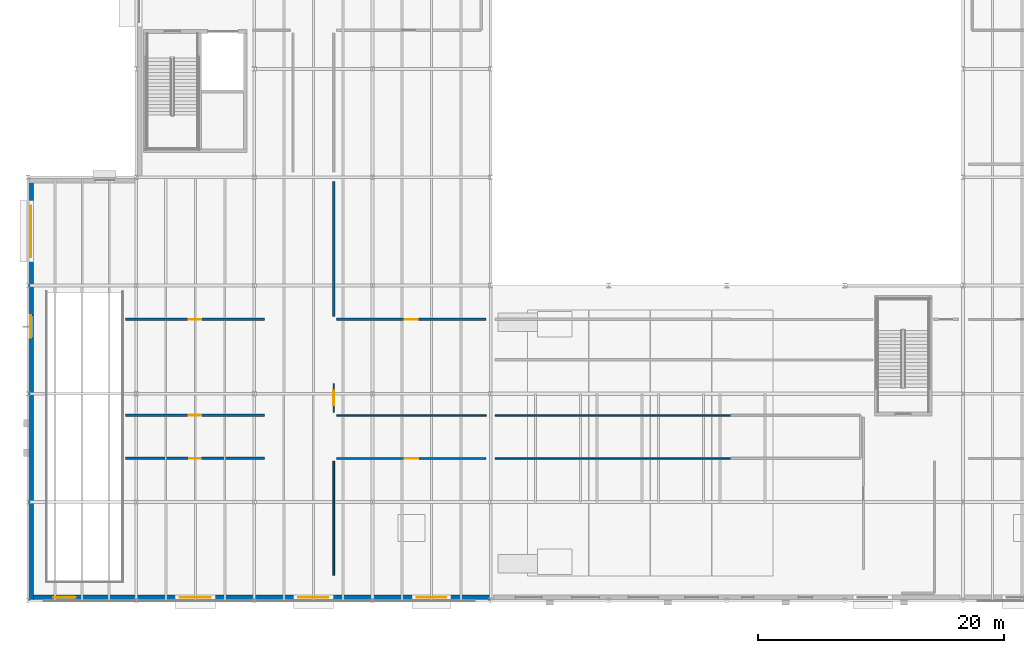
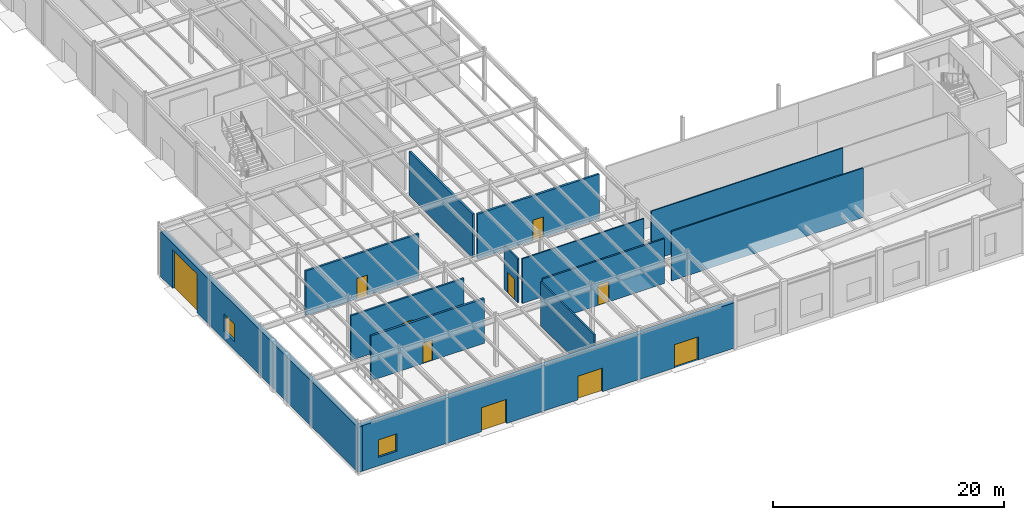
# One storey, part 43 of 70: 13 walls, 10 doors, 2 windows, 12 openings.
"""IFC4 building model written with IfcOpenShell, lengths in metres."""

from ifc_helpers import new_model, si_unit, direction, frame, frame_2d, origin, place, context, subcontext, project, spatial, rectangle, extrude, material, layer, layer_set, type_object, element, fill, save


model = new_model("IFC4")

# Units and contexts
model_context = context("Model", 3, precision=1e-05, world=origin(), true_north=direction((0.0, 1.0)))
body_context = subcontext(model_context, "Body", "Model", "MODEL_VIEW")
ifc_project = project(units=[si_unit("LENGTHUNIT", "METRE"), si_unit("AREAUNIT", "SQUARE_METRE"), si_unit("VOLUMEUNIT", "CUBIC_METRE"), si_unit("PLANEANGLEUNIT", "RADIAN"), si_unit("MASSUNIT", "GRAM", prefix="KILO")], contexts=[model_context])

# Site, building, storey
site_placement = place(None, origin())
site = spatial("IfcSite", under=ifc_project, at=site_placement, CompositionType="ELEMENT")
building_placement = place(site_placement, origin())
building = spatial("IfcBuilding", under=site, at=building_placement, Name="Sarnbrook Museum", CompositionType="ELEMENT")
storey_placement = place(building_placement, origin())
storey = spatial("IfcBuildingStorey", under=building, at=storey_placement, Name="L00", CompositionType="ELEMENT", Elevation=0.0)

# Walls
ifc_material_1 = material(Name="Fire-Rated Acoustic Gypsum Plasterboard")
ifc_layer_1 = layer(ifc_material_1, 0.1201171875)
ifc_layer_set_1 = layer_set([ifc_layer_1], Name="Fire-Rated Acoustic Gypsum Plasterboard")
wall_type_1 = type_object("IfcWallType", Name="PartWall_P120", PredefinedType="PARTITIONING", material=ifc_layer_set_1)
wall_1_placement = place(storey_placement, frame((61.929931640625, 19.85009765625, 0.0), z_axis=(0.0, 0.0, 1.0), x_axis=(-1.0, 0.0, 0.0)))
element("IfcWall", 1, at=wall_1_placement, inside=storey, type_object=wall_type_1, Name="Interior Partition Wall L00-0237", PredefinedType="PARTITIONING", context=body_context, shape_type="SweptSolid", body=[
    extrude(rectangle(XDim=19.169921875, YDim=0.1201171875, at=frame_2d((9.5849609375, 0.0))), origin(), (0.0, 0.0, 1.0), 5.22998046875),
])
wall_2_placement = place(storey_placement, frame((42.0400390625, 19.85009765625, 0.0), z_axis=(0.0, 0.0, 1.0), x_axis=(-1.0, 0.0, 0.0)))
element("IfcWall", 2, at=wall_2_placement, inside=storey, type_object=wall_type_1, Name="Interior Partition Wall L00-0272", PredefinedType="PARTITIONING", context=body_context, shape_type="SweptSolid", body=[
    extrude(rectangle(XDim=12.16015625, YDim=0.1201171875, at=frame_2d((6.080078125, 0.0))), origin(), (0.0, 0.0, 1.0), 4.717041015625),
])
ifc_layer_2 = layer(ifc_material_1, 0.135009765625)
ifc_layer_set_2 = layer_set([ifc_layer_2], Name="Fire-Rated Acoustic Gypsum Plasterboard")
wall_type_2 = type_object("IfcWallType", Name="PartWall_P135", PredefinedType="PARTITIONING", material=ifc_layer_set_2)
wall_3_placement = place(storey_placement, frame((42.760009765625, 16.35009765625, 0.0), z_axis=(0.0, 0.0, 1.0), x_axis=(1.0, 0.0, 0.0)))
element("IfcWall", 3, at=wall_3_placement, inside=storey, type_object=wall_type_2, Name="Interior Partition Wall L00-0236", PredefinedType="PARTITIONING", context=body_context, shape_type="SweptSolid", body=[
    extrude(rectangle(XDim=19.169921875, YDim=0.135009765625, at=frame_2d((9.5849609375, 0.0))), origin(), (0.0, 0.0, 1.0), 5.22998046875),
])

# Wall, opening, door
wall_4_placement = place(storey_placement, frame((29.64990234375, 20.080078125, 0.0), z_axis=(0.0, 0.0, 1.0), x_axis=(0.0, 1.0, 0.0)))
wall_4 = element("IfcWall", 4, at=wall_4_placement, inside=storey, type_object=wall_type_2, Name="Interior Partition Wall L00-0271", PredefinedType="PARTITIONING", context=body_context, shape_type="SweptSolid", body=[
    extrude(rectangle(XDim=2.349853515625, YDim=0.135009765625, at=frame_2d((1.1748046875, 0.0))), origin(), (0.0, 0.0, 1.0), 4.637939453125),
])
opening_1_placement = place(wall_4_placement, frame((0.594970703125, 0.0, 0.0)))
opening_1 = element("IfcOpeningElement", 5, at=opening_1_placement, cuts=wall_4, Name="Opening D-L00-087", PredefinedType="OPENING", context=body_context, shape_type="SweptSolid", body=[
    extrude(rectangle(XDim=1.159912109375, YDim=2.159912109375, at=frame_2d((0.580078125, 1.080078125))), frame((0.0, 0.07763671875, 0.0), z_axis=(0.0, -1.0, 0.0), x_axis=(1.0, 0.0, 0.0)), (0.0, 0.0, 1.0), 0.155029296875),
])
ifc_material_2 = material(Name="Tasmanian Oak Acoustic Timber", Category="wood")
door_type_1 = type_object("IfcDoorType", Name="IntDoor_DT11", OperationType="NOTDEFINED", PredefinedType="DOOR", material=ifc_material_2)
door_1_placement = place(opening_1_placement, frame((1.159912109375, 0.0, 0.0), z_axis=(0.0, 0.0, 1.0), x_axis=(-1.0, 0.0, 0.0)))
door_1 = element("IfcDoor", 6, at=door_1_placement, inside=storey, type_object=door_type_1, Name="Grand North-Light Atrium Foyer L00-39 Door D-L00-087", OperationType="SINGLE_SWING_LEFT", OverallHeight=2.159912109375, OverallWidth=1.159912109375, PredefinedType="DOOR", context=body_context, shape_type="SweptSolid", body=[
    extrude(rectangle(XDim=1.159912109375, YDim=2.159912109375, at=frame_2d((0.580078125, 1.080078125))), frame((0.0, 0.02490234375, 0.0), z_axis=(0.0, -1.0, 0.0), x_axis=(1.0, 0.0, 0.0)), (0.0, 0.0, 1.0), 0.050048828125),
])
fill(opening_1, door_1)

# Wall
ifc_layer_3 = layer(ifc_material_1, 0.14990234375)
ifc_layer_set_3 = layer_set([ifc_layer_3], Name="Fire-Rated Acoustic Gypsum Plasterboard")
wall_type_3 = type_object("IfcWallType", Name="PartWall_P150", PredefinedType="PARTITIONING", material=ifc_layer_set_3)
wall_5_placement = place(storey_placement, frame((29.64990234375, 6.846923828125, 0.0), z_axis=(0.0, 0.0, 1.0), x_axis=(0.0, 1.0, 0.0)))
element("IfcWall", 7, at=wall_5_placement, inside=storey, type_object=wall_type_3, Name="Interior Partition Wall L00-0270", PredefinedType="PARTITIONING", context=body_context, shape_type="SweptSolid", body=[
    extrude(rectangle(XDim=9.273193359375, YDim=0.14990234375, at=frame_2d((4.63671875, 0.0))), origin(), (0.0, 0.0, 1.0), 4.637939453125),
])

# Wall, opening, door
ifc_layer_4 = layer(ifc_material_1, 0.1650390625)
ifc_layer_set_4 = layer_set([ifc_layer_4], Name="Fire-Rated Acoustic Gypsum Plasterboard")
wall_type_4 = type_object("IfcWallType", Name="PartWall_P165", PredefinedType="PARTITIONING", material=ifc_layer_set_4)
wall_6_placement = place(storey_placement, frame((29.8798828125, 16.35009765625, 0.0), z_axis=(0.0, 0.0, 1.0), x_axis=(1.0, 0.0, 0.0)))
wall_6 = element("IfcWall", 8, at=wall_6_placement, inside=storey, type_object=wall_type_4, Name="Interior Partition Wall L00-0269", PredefinedType="PARTITIONING", context=body_context, shape_type="SweptSolid", body=[
    extrude(rectangle(XDim=12.16015625, YDim=0.1650390625, at=frame_2d((6.080078125, 0.0))), origin(), (0.0, 0.0, 1.0), 4.717041015625),
])
opening_2_placement = place(wall_6_placement, frame((5.534912109375, 0.0, 0.0)))
opening_2 = element("IfcOpeningElement", 9, at=opening_2_placement, cuts=wall_6, Name="Opening D-L00-086", PredefinedType="OPENING", context=body_context, shape_type="SweptSolid", body=[
    extrude(rectangle(XDim=1.090087890625, YDim=2.159912109375, at=frame_2d((0.544921875, 1.080078125))), frame((0.0, 0.092529296875, 0.0), z_axis=(0.0, -1.0, 0.0), x_axis=(1.0, 0.0, 0.0)), (0.0, 0.0, 1.0), 0.18505859375),
])
door_type_2 = type_object("IfcDoorType", Name="IntDoor_DT10", OperationType="NOTDEFINED", PredefinedType="DOOR", material=ifc_material_2)
door_2_placement = place(opening_2_placement, origin())
door_2 = element("IfcDoor", 10, at=door_2_placement, inside=storey, type_object=door_type_2, Name="Earth & Tectonics Gallery L00-38 Door D-L00-086", OperationType="SINGLE_SWING_RIGHT", OverallHeight=2.159912109375, OverallWidth=1.090087890625, PredefinedType="DOOR", context=body_context, shape_type="SweptSolid", body=[
    extrude(rectangle(XDim=1.090087890625, YDim=2.159912109375, at=frame_2d((0.544921875, 1.080078125))), frame((0.0, 0.02490234375, 0.0), z_axis=(0.0, -1.0, 0.0), x_axis=(1.0, 0.0, 0.0)), (0.0, 0.0, 1.0), 0.050048828125),
])
fill(opening_2, door_2)

ifc_layer_5 = layer(ifc_material_1, 0.179931640625)
ifc_layer_set_5 = layer_set([ifc_layer_5], Name="Fire-Rated Acoustic Gypsum Plasterboard")
wall_type_5 = type_object("IfcWallType", Name="PartWall_P180", PredefinedType="PARTITIONING", material=ifc_layer_set_5)
wall_7_placement = place(storey_placement, frame((24.030029296875, 19.85009765625, 0.0), z_axis=(0.0, 0.0, 1.0), x_axis=(-1.0, 0.0, 0.0)))
wall_7 = element("IfcWall", 11, at=wall_7_placement, inside=storey, type_object=wall_type_5, Name="Interior Partition Wall L00-0268", PredefinedType="PARTITIONING", context=body_context, shape_type="SweptSolid", body=[
    extrude(rectangle(XDim=11.31005859375, YDim=0.179931640625, at=frame_2d((5.655029296875, 0.0))), origin(), (0.0, 0.0, 1.0), 4.717041015625),
])
opening_3_placement = place(wall_7_placement, frame((5.139892578125, 0.0, 0.0)))
opening_3 = element("IfcOpeningElement", 12, at=opening_3_placement, cuts=wall_7, Name="Opening D-L00-085", PredefinedType="OPENING", context=body_context, shape_type="SweptSolid", body=[
    extrude(rectangle(XDim=1.030029296875, YDim=2.159912109375, at=frame_2d((0.51513671875, 1.080078125))), frame((0.0, 0.10009765625, 0.0), z_axis=(0.0, -1.0, 0.0), x_axis=(1.0, 0.0, 0.0)), (0.0, 0.0, 1.0), 0.199951171875),
])
door_type_3 = type_object("IfcDoorType", Name="IntDoor_DT09", OperationType="NOTDEFINED", PredefinedType="DOOR", material=ifc_material_2)
door_3_placement = place(opening_3_placement, frame((1.030029296875, 0.0, 0.0), z_axis=(0.0, 0.0, 1.0), x_axis=(-1.0, 0.0, 0.0)))
door_3 = element("IfcDoor", 13, at=door_3_placement, inside=storey, type_object=door_type_3, Name="Fossil Megafauna Exhibition Hall L00-37 Door D-L00-085", OperationType="SINGLE_SWING_LEFT", OverallHeight=2.159912109375, OverallWidth=1.030029296875, PredefinedType="DOOR", context=body_context, shape_type="SweptSolid", body=[
    extrude(rectangle(XDim=1.030029296875, YDim=2.159912109375, at=frame_2d((0.51513671875, 1.080078125))), frame((0.0, 0.02490234375, 0.0), z_axis=(0.0, -1.0, 0.0), x_axis=(1.0, 0.0, 0.0)), (0.0, 0.0, 1.0), 0.050048828125),
])
fill(opening_3, door_3)

ifc_layer_6 = layer(ifc_material_1, 0.195068359375)
ifc_layer_set_6 = layer_set([ifc_layer_6], Name="Fire-Rated Acoustic Gypsum Plasterboard")
wall_type_6 = type_object("IfcWallType", Name="PartWall_P195", PredefinedType="PARTITIONING", material=ifc_layer_set_6)
wall_8_placement = place(storey_placement, frame((24.030029296875, 27.64990234375, 0.0), z_axis=(0.0, 0.0, 1.0), x_axis=(-1.0, 0.0, 0.0)))
wall_8 = element("IfcWall", 14, at=wall_8_placement, inside=storey, type_object=wall_type_6, Name="Interior Partition Wall L00-0267", PredefinedType="PARTITIONING", context=body_context, shape_type="SweptSolid", body=[
    extrude(rectangle(XDim=11.31005859375, YDim=0.195068359375, at=frame_2d((5.655029296875, 0.0))), origin(), (0.0, 0.0, 1.0), 4.717041015625),
])
opening_4_placement = place(wall_8_placement, frame((5.1298828125, 0.0, 0.0)))
opening_4 = element("IfcOpeningElement", 15, at=opening_4_placement, cuts=wall_8, Name="Opening D-L00-084", PredefinedType="OPENING", context=body_context, shape_type="SweptSolid", body=[
    extrude(rectangle(XDim=1.050048828125, YDim=2.14990234375, at=frame_2d((0.52490234375, 1.074951171875))), frame((0.0, 0.107421875, 0.0), z_axis=(0.0, -1.0, 0.0), x_axis=(1.0, 0.0, 0.0)), (0.0, 0.0, 1.0), 0.215087890625),
])
door_type_4 = type_object("IfcDoorType", Name="FireDoor_FD60", OperationType="NOTDEFINED", PredefinedType="DOOR", material=ifc_material_2)
door_4_placement = place(opening_4_placement, frame((1.050048828125, 0.0, 0.0), z_axis=(0.0, 0.0, 1.0), x_axis=(-1.0, 0.0, 0.0)))
door_4 = element("IfcDoor", 16, at=door_4_placement, inside=storey, type_object=door_type_4, Name="Seminar & Education Studio L00-36 Door D-L00-084", OperationType="SINGLE_SWING_RIGHT", OverallHeight=2.14990234375, OverallWidth=1.050048828125, PredefinedType="DOOR", context=body_context, shape_type="SweptSolid", body=[
    extrude(rectangle(XDim=1.050048828125, YDim=2.14990234375, at=frame_2d((0.52490234375, 1.074951171875))), frame((0.0, 0.02490234375, 0.0), z_axis=(0.0, -1.0, 0.0), x_axis=(1.0, 0.0, 0.0)), (0.0, 0.0, 1.0), 0.050048828125),
])
fill(opening_4, door_4)

# Wall
wall_9_placement = place(storey_placement, frame((29.64990234375, 27.8798828125, 0.0), z_axis=(0.0, 0.0, 1.0), x_axis=(0.0, 1.0, 0.0)))
element("IfcWall", 17, at=wall_9_placement, inside=storey, type_object=wall_type_6, Name="Interior Partition Wall L00-0274", PredefinedType="PARTITIONING", context=body_context, shape_type="SweptSolid", body=[
    extrude(rectangle(XDim=10.960205078125, YDim=0.195068359375, at=frame_2d((5.47998046875, 0.0))), origin(), (0.0, 0.0, 1.0), 4.637939453125),
])

# Wall, opening, door
ifc_layer_7 = layer(ifc_material_1, 0.2099609375)
ifc_layer_set_7 = layer_set([ifc_layer_7], Name="Fire-Rated Acoustic Gypsum Plasterboard")
wall_type_7 = type_object("IfcWallType", Name="PartWall_P210", PredefinedType="PARTITIONING", material=ifc_layer_set_7)
wall_10_placement = place(storey_placement, frame((12.719970703125, 16.35009765625, 0.0), z_axis=(0.0, 0.0, 1.0), x_axis=(1.0, 0.0, 0.0)))
wall_10 = element("IfcWall", 18, at=wall_10_placement, inside=storey, type_object=wall_type_7, Name="Interior Partition Wall L00-0266", PredefinedType="PARTITIONING", context=body_context, shape_type="SweptSolid", body=[
    extrude(rectangle(XDim=11.31005859375, YDim=0.2099609375, at=frame_2d((5.655029296875, 0.0))), origin(), (0.0, 0.0, 1.0), 4.717041015625),
])
opening_5_placement = place(wall_10_placement, frame((5.195068359375, 0.0, 0.0)))
opening_5 = element("IfcOpeningElement", 19, at=opening_5_placement, cuts=wall_10, Name="Opening D-L00-083", PredefinedType="OPENING", context=body_context, shape_type="SweptSolid", body=[
    extrude(rectangle(XDim=0.919921875, YDim=2.159912109375, at=frame_2d((0.4599609375, 1.080078125))), frame((0.0, 0.114990234375, 0.0), z_axis=(0.0, -1.0, 0.0), x_axis=(1.0, 0.0, 0.0)), (0.0, 0.0, 1.0), 0.22998046875),
])
door_type_5 = type_object("IfcDoorType", Name="IntDoor_DT07", OperationType="NOTDEFINED", PredefinedType="DOOR", material=ifc_material_2)
door_5_placement = place(opening_5_placement, origin())
door_5 = element("IfcDoor", 20, at=door_5_placement, inside=storey, type_object=door_type_5, Name="Cloakroom & Visitor Services L00-35 Door D-L00-083", OperationType="SINGLE_SWING_LEFT", OverallHeight=2.159912109375, OverallWidth=0.919921875, PredefinedType="DOOR", context=body_context, shape_type="SweptSolid", body=[
    extrude(rectangle(XDim=0.919921875, YDim=2.159912109375, at=frame_2d((0.4599609375, 1.080078125))), frame((0.0, 0.02490234375, 0.0), z_axis=(0.0, -1.0, 0.0), x_axis=(1.0, 0.0, 0.0)), (0.0, 0.0, 1.0), 0.050048828125),
])
fill(opening_5, door_5)

wall_11_placement = place(storey_placement, frame((42.0400390625, 27.64990234375, 0.0), z_axis=(0.0, 0.0, 1.0), x_axis=(-1.0, 0.0, 0.0)))
wall_11 = element("IfcWall", 21, at=wall_11_placement, inside=storey, type_object=wall_type_7, Name="Interior Partition Wall L00-0273", PredefinedType="PARTITIONING", context=body_context, shape_type="SweptSolid", body=[
    extrude(rectangle(XDim=12.16015625, YDim=0.2099609375, at=frame_2d((6.080078125, 0.0))), origin(), (0.0, 0.0, 1.0), 4.717041015625),
])
opening_6_placement = place(wall_11_placement, frame((5.554931640625, 0.0, 0.0)))
opening_6 = element("IfcOpeningElement", 22, at=opening_6_placement, cuts=wall_11, Name="Opening D-L00-088", PredefinedType="OPENING", context=body_context, shape_type="SweptSolid", body=[
    extrude(rectangle(XDim=1.050048828125, YDim=2.14990234375, at=frame_2d((0.52490234375, 1.074951171875))), frame((0.0, 0.114990234375, 0.0), z_axis=(0.0, -1.0, 0.0), x_axis=(1.0, 0.0, 0.0)), (0.0, 0.0, 1.0), 0.22998046875),
])
door_6_placement = place(opening_6_placement, frame((1.050048828125, 0.0, 0.0), z_axis=(0.0, 0.0, 1.0), x_axis=(-1.0, 0.0, 0.0)))
door_6 = element("IfcDoor", 23, at=door_6_placement, inside=storey, type_object=door_type_4, Name="Main Raked Lecture Auditorium L00-40 Door D-L00-088", OperationType="SINGLE_SWING_RIGHT", OverallHeight=2.14990234375, OverallWidth=1.050048828125, PredefinedType="DOOR", context=body_context, shape_type="SweptSolid", body=[
    extrude(rectangle(XDim=1.050048828125, YDim=2.14990234375, at=frame_2d((0.52490234375, 1.074951171875))), frame((0.0, 0.02490234375, 0.0), z_axis=(0.0, -1.0, 0.0), x_axis=(1.0, 0.0, 0.0)), (0.0, 0.0, 1.0), 0.050048828125),
])
fill(opening_6, door_6)

# Wall, openings, door, window
ifc_material_3 = material(Name="Barrabool Sandstone Ashlar Cladding", Category="masonry")
ifc_layer_8 = layer(ifc_material_3, 0.4599609375)
ifc_layer_set_8 = layer_set([ifc_layer_8], Name="Barrabool Sandstone Ashlar Cladding")
wall_type_8 = type_object("IfcWallType", Name="Wall_SandstoneExt460", PredefinedType="SOLIDWALL", material=ifc_layer_set_8)
wall_12_placement = place(storey_placement, frame((5.030029296875, 38.964111328125, 0.0), z_axis=(0.0, 0.0, 1.0), x_axis=(0.0, -1.0, 0.0)))
wall_12 = element("IfcWall", 24, at=wall_12_placement, inside=storey, type_object=wall_type_8, Name="Classical Sandstone Facade Wall L00-13", PredefinedType="SOLIDWALL", context=body_context, shape_type="SweptSolid", body=[
    extrude(rectangle(XDim=34.1640625, YDim=0.4599609375, at=frame_2d((17.08203125, 0.0))), origin(), (0.0, 0.0, 1.0), 4.762939453125),
])
opening_7_placement = place(wall_12_placement, frame((2.06396484375, 0.0, 0.0)))
opening_7 = element("IfcOpeningElement", 25, at=opening_7_placement, cuts=wall_12, Name="Opening RS-01", PredefinedType="OPENING", context=body_context, shape_type="SweptSolid", body=[
    extrude(rectangle(XDim=4.199951171875, YDim=4.10009765625, at=frame_2d((2.10009765625, 2.050048828125))), frame((0.0, 0.239990234375, 0.0), z_axis=(0.0, -1.0, 0.0), x_axis=(1.0, 0.0, 0.0)), (0.0, 0.0, 1.0), 0.47998046875),
])
opening_8_placement = place(wall_12_placement, frame((11.0, 0.0, 0.89990234375)))
opening_8 = element("IfcOpeningElement", 26, at=opening_8_placement, cuts=wall_12, Name="Opening WT-17", PredefinedType="OPENING", context=body_context, shape_type="SweptSolid", body=[
    extrude(rectangle(XDim=1.820068359375, YDim=1.85009765625, at=frame_2d((0.91015625, 0.925048828125))), frame((0.0, 0.239990234375, 0.0), z_axis=(0.0, -1.0, 0.0), x_axis=(1.0, 0.0, 0.0)), (0.0, 0.0, 1.0), 0.47998046875),
])
ifc_material_4 = material(Name="Brushed Stainless Steel Grade 316", Category="steel")
door_type_6 = type_object("IfcDoorType", Name="DoorType_RS01", OperationType="ROLLINGUP", PredefinedType="DOOR", material=ifc_material_4)
door_7_placement = place(opening_7_placement, frame((4.199951171875, 0.0, 0.0), z_axis=(0.0, 0.0, 1.0), x_axis=(-1.0, 0.0, 0.0)))
door_7 = element("IfcDoor", 27, at=door_7_placement, inside=storey, type_object=door_type_6, Name="Art Quarantine Loading Dock Roller Shutter RS-01", OperationType="ROLLINGUP", OverallHeight=4.10009765625, OverallWidth=4.199951171875, PredefinedType="DOOR", context=body_context, shape_type="SweptSolid", body=[
    extrude(rectangle(XDim=4.199951171875, YDim=4.10009765625, at=frame_2d((2.10009765625, 2.050048828125))), frame((0.0, 0.02490234375, 0.0), z_axis=(0.0, -1.0, 0.0), x_axis=(1.0, 0.0, 0.0)), (0.0, 0.0, 1.0), 0.050048828125),
])
fill(opening_7, door_7)
ifc_material_5 = material(Name="Double-Glazed Low-Iron Laminated Safety Glass", Category="glass")
window_type_1 = type_object("IfcWindowType", Name="Window_Classical_WT17", PartitioningType="SINGLE_PANEL", PredefinedType="WINDOW", material=ifc_material_5)
window_1_placement = place(opening_8_placement, origin())
window_1 = element("IfcWindow", 28, at=window_1_placement, inside=storey, type_object=window_type_1, Name="Classical Bronze Casement Window WIN:L00:0017", OverallHeight=1.85009765625, OverallWidth=1.820068359375, PartitioningType="SINGLE_PANEL", PredefinedType="WINDOW", context=body_context, shape_type="SweptSolid", body=[
    extrude(rectangle(XDim=1.820068359375, YDim=1.85009765625, at=frame_2d((0.91015625, 0.925048828125))), frame((0.0, 0.030029296875, 0.0), z_axis=(0.0, -1.0, 0.0), x_axis=(1.0, 0.0, 0.0)), (0.0, 0.0, 1.0), 0.06005859375),
])
fill(opening_8, window_1)

# Wall, openings, doors, window
wall_13_placement = place(storey_placement, frame((5.035888671875, 5.030029296875, 0.0), z_axis=(0.0, 0.0, 1.0), x_axis=(1.0, 0.0, 0.0)))
wall_13 = element("IfcWall", 29, at=wall_13_placement, inside=storey, type_object=wall_type_8, Name="Classical Sandstone Facade Wall L00-14", PredefinedType="SOLIDWALL", context=body_context, shape_type="SweptSolid", body=[
    extrude(rectangle(XDim=37.364013671875, YDim=0.4599609375, at=frame_2d((18.68212890625, 0.0))), origin(), (0.0, 0.0, 1.0), 4.802001953125),
])
opening_9_placement = place(wall_13_placement, frame((12.114013671875, 0.0, 0.0)))
opening_9 = element("IfcOpeningElement", 30, at=opening_9_placement, cuts=wall_13, Name="Opening ED28", PredefinedType="OPENING", context=body_context, shape_type="SweptSolid", body=[
    extrude(rectangle(XDim=2.5, YDim=2.550048828125, at=frame_2d((1.25, 1.27490234375))), frame((0.0, 0.239990234375, 0.0), z_axis=(0.0, -1.0, 0.0), x_axis=(1.0, 0.0, 0.0)), (0.0, 0.0, 1.0), 0.47998046875),
])
opening_10_placement = place(wall_13_placement, frame((21.739013671875, 0.0, 0.0)))
opening_10 = element("IfcOpeningElement", 31, at=opening_10_placement, cuts=wall_13, Name="Opening ED29", PredefinedType="OPENING", context=body_context, shape_type="SweptSolid", body=[
    extrude(rectangle(XDim=2.449951171875, YDim=2.5, at=frame_2d((1.22509765625, 1.25))), frame((0.0, 0.239990234375, 0.0), z_axis=(0.0, -1.0, 0.0), x_axis=(1.0, 0.0, 0.0)), (0.0, 0.0, 1.0), 0.47998046875),
])
opening_11_placement = place(wall_13_placement, frame((31.364013671875, 0.0, 0.0)))
opening_11 = element("IfcOpeningElement", 32, at=opening_11_placement, cuts=wall_13, Name="Opening ED30", PredefinedType="OPENING", context=body_context, shape_type="SweptSolid", body=[
    extrude(rectangle(XDim=2.39990234375, YDim=2.449951171875, at=frame_2d((1.199951171875, 1.22509765625))), frame((0.0, 0.239990234375, 0.0), z_axis=(0.0, -1.0, 0.0), x_axis=(1.0, 0.0, 0.0)), (0.0, 0.0, 1.0), 0.47998046875),
])
opening_12_placement = place(wall_13_placement, frame((1.800048828125, 0.0, 0.89990234375)))
opening_12 = element("IfcOpeningElement", 33, at=opening_12_placement, cuts=wall_13, Name="Opening WT-18", PredefinedType="OPENING", context=body_context, shape_type="SweptSolid", body=[
    extrude(rectangle(XDim=1.85009765625, YDim=1.85009765625, at=frame_2d((0.925048828125, 0.925048828125))), frame((0.0, 0.239990234375, 0.0), z_axis=(0.0, -1.0, 0.0), x_axis=(1.0, 0.0, 0.0)), (0.0, 0.0, 1.0), 0.47998046875),
])
ifc_material_6 = material(Name="Thermally Broken Anodised Aluminium 6063-T6", Category="aluminium")
door_type_7 = type_object("IfcDoorType", Name="DoorType_EDT1", OperationType="DOUBLE_DOOR_SINGLE_SWING", PredefinedType="DOOR", material=ifc_material_6)
door_8_placement = place(opening_10_placement, frame((2.449951171875, 0.0, 0.0), z_axis=(0.0, 0.0, 1.0), x_axis=(-1.0, 0.0, 0.0)))
door_8 = element("IfcDoor", 34, at=door_8_placement, inside=storey, type_object=door_type_7, Name="South West Wing Pedestrian Exit Door ED29", OperationType="DOUBLE_DOOR_SINGLE_SWING", OverallHeight=2.5, OverallWidth=2.449951171875, PredefinedType="DOOR", context=body_context, shape_type="SweptSolid", body=[
    extrude(rectangle(XDim=2.449951171875, YDim=2.5, at=frame_2d((1.22509765625, 1.25))), frame((0.0, 0.02490234375, 0.0), z_axis=(0.0, -1.0, 0.0), x_axis=(1.0, 0.0, 0.0)), (0.0, 0.0, 1.0), 0.050048828125),
])
fill(opening_10, door_8)
door_type_8 = type_object("IfcDoorType", Name="DoorType_EDT2", OperationType="DOUBLE_DOOR_SINGLE_SWING", PredefinedType="DOOR", material=ifc_material_6)
door_9_placement = place(opening_11_placement, frame((2.39990234375, 0.0, 0.0), z_axis=(0.0, 0.0, 1.0), x_axis=(-1.0, 0.0, 0.0)))
door_9 = element("IfcDoor", 35, at=door_9_placement, inside=storey, type_object=door_type_8, Name="South West Wing Pedestrian Exit Door ED30", OperationType="DOUBLE_DOOR_SINGLE_SWING", OverallHeight=2.449951171875, OverallWidth=2.39990234375, PredefinedType="DOOR", context=body_context, shape_type="SweptSolid", body=[
    extrude(rectangle(XDim=2.39990234375, YDim=2.449951171875, at=frame_2d((1.199951171875, 1.22509765625))), frame((0.0, 0.02490234375, 0.0), z_axis=(0.0, -1.0, 0.0), x_axis=(1.0, 0.0, 0.0)), (0.0, 0.0, 1.0), 0.050048828125),
])
fill(opening_11, door_9)
door_type_9 = type_object("IfcDoorType", Name="DoorType_EDT4", OperationType="DOUBLE_DOOR_SINGLE_SWING", PredefinedType="DOOR", material=ifc_material_6)
door_10_placement = place(opening_9_placement, frame((2.5, 0.0, 0.0), z_axis=(0.0, 0.0, 1.0), x_axis=(-1.0, 0.0, 0.0)))
door_10 = element("IfcDoor", 36, at=door_10_placement, inside=storey, type_object=door_type_9, Name="South West Wing Pedestrian Exit Door ED28", OperationType="DOUBLE_DOOR_SINGLE_SWING", OverallHeight=2.550048828125, OverallWidth=2.5, PredefinedType="DOOR", context=body_context, shape_type="SweptSolid", body=[
    extrude(rectangle(XDim=2.5, YDim=2.550048828125, at=frame_2d((1.25, 1.27490234375))), frame((0.0, 0.02490234375, 0.0), z_axis=(0.0, -1.0, 0.0), x_axis=(1.0, 0.0, 0.0)), (0.0, 0.0, 1.0), 0.050048828125),
])
fill(opening_9, door_10)
window_type_2 = type_object("IfcWindowType", Name="Window_Classical_WT18", PartitioningType="SINGLE_PANEL", PredefinedType="WINDOW", material=ifc_material_5)
window_2_placement = place(opening_12_placement, origin())
window_2 = element("IfcWindow", 37, at=window_2_placement, inside=storey, type_object=window_type_2, Name="Classical Bronze Casement Window WIN:L00:0018", OverallHeight=1.85009765625, OverallWidth=1.85009765625, PartitioningType="SINGLE_PANEL", PredefinedType="WINDOW", context=body_context, shape_type="SweptSolid", body=[
    extrude(rectangle(XDim=1.85009765625, YDim=1.85009765625, at=frame_2d((0.925048828125, 0.925048828125))), frame((0.0, 0.030029296875, 0.0), z_axis=(0.0, -1.0, 0.0), x_axis=(1.0, 0.0, 0.0)), (0.0, 0.0, 1.0), 0.06005859375),
])
fill(opening_12, window_2)

save(model, "model.ifc")
